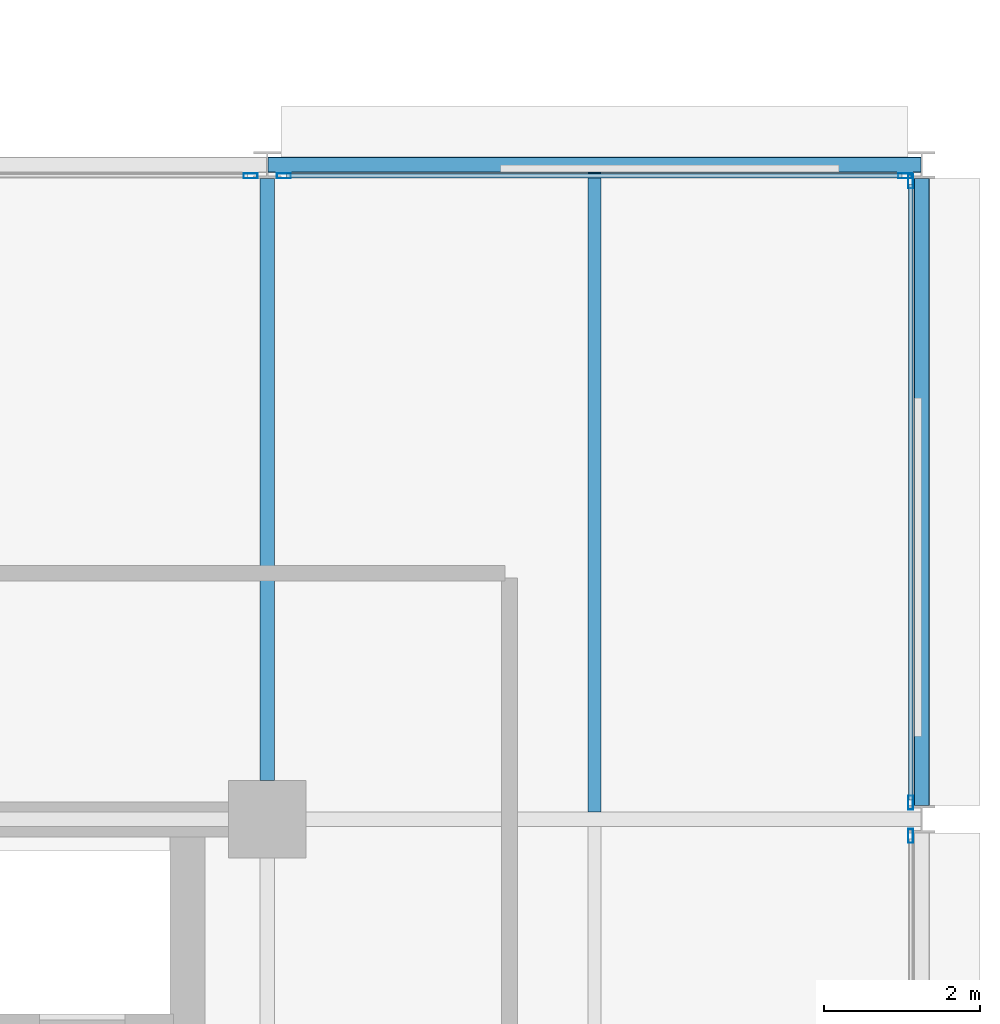
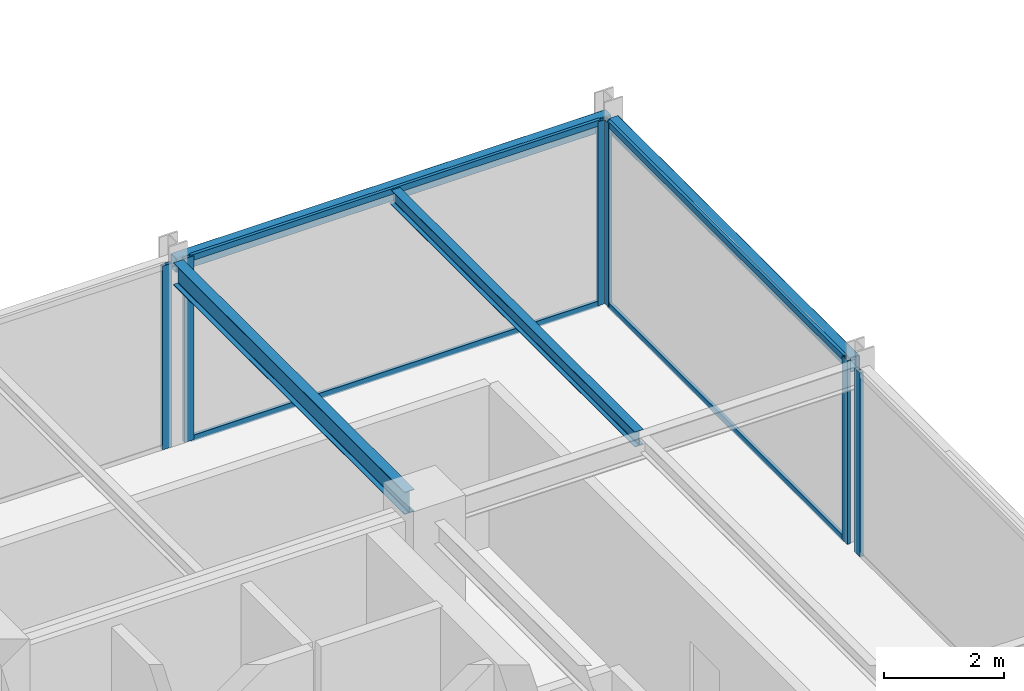
# One storey, part 15 of 26: 10 members, 4 beams, 4 elements without a shape of their own.
"""IFC4 building model written with IfcOpenShell, lengths in metres."""

from ifc_helpers import new_model, si_unit, direction, frame, origin, origin_2d, place, context, subcontext, project, spatial, hollow_rectangle, i_section, extrude, material, layer, layer_set, material_profile, profile_set, type_object, element, aggregate, save


model = new_model("IFC4")

# Units and contexts
model_context = context("Model", 3, precision=1e-05, world=origin(), true_north=direction((0.0, 1.0)))
body_context = subcontext(model_context, "Body", "Model", "MODEL_VIEW")
ifc_project = project(units=[si_unit("LENGTHUNIT", "METRE"), si_unit("AREAUNIT", "SQUARE_METRE"), si_unit("VOLUMEUNIT", "CUBIC_METRE"), si_unit("PLANEANGLEUNIT", "RADIAN"), si_unit("MASSUNIT", "GRAM", prefix="KILO")], contexts=[model_context])

# Site, building, storey
site_placement = place(None, origin())
site = spatial("IfcSite", under=ifc_project, at=site_placement, CompositionType="ELEMENT")
building_placement = place(site_placement, origin())
building = spatial("IfcBuilding", under=site, at=building_placement, Name="Nerrivon Quay Data Exchange", CompositionType="ELEMENT")
storey_placement = place(building_placement, frame((0.0, 0.0, 241.10009765625)))
storey = spatial("IfcBuildingStorey", under=building, at=storey_placement, Name="L57", CompositionType="ELEMENT", Elevation=241.10009765625)

# Beams
ifc_material_1 = material(Name="Steel Grade 350", Category="steel")
ifc_material_profile_1 = material_profile(ifc_material_1, i_section(OverallWidth=0.18994140625, OverallDepth=0.4541015625, WebThickness=0.008544921875, FlangeThickness=0.0126953125, FilletRadius=0.011474609375, at=origin_2d()), Name="460UB67.1")
ifc_profile_set_1 = profile_set([ifc_material_profile_1], Name="Steel Grade 350")
beam_type_1 = type_object("IfcBeamType", Name="BM-G6-460UB67", PredefinedType="BEAM", material=ifc_profile_set_1)
beam_1_placement = place(storey_placement, frame((33.60009765625, 17.300048828125, 3.52294921875), z_axis=(0.0, 1.0, 0.0), x_axis=(-1.0, 0.0, 0.0)))
element("IfcBeam", 1, at=beam_1_placement, inside=storey, type_object=beam_type_1, Name="L57 NS Girder X=33.6 (16.8..25.2)", PredefinedType="BEAM", context=body_context, shape_type="SweptSolid", body=[
    extrude(i_section(OverallWidth=0.18994140625, OverallDepth=0.4541015625, WebThickness=0.008544921875, FlangeThickness=0.0126953125, FilletRadius=0.011474609375, at=origin_2d()), origin(), (0.0, 0.0, 1.0), 7.724853515625),
])
ifc_material_profile_2 = material_profile(ifc_material_1, i_section(OverallWidth=0.166015625, OverallDepth=0.306884765625, WebThickness=0.006591796875, FlangeThickness=0.01171875, FilletRadius=0.011474609375, at=origin_2d()), Name="310UB46.2")
ifc_profile_set_2 = profile_set([ifc_material_profile_2], Name="Steel Grade 350")
beam_type_2 = type_object("IfcBeamType", Name="BM-J5-310UB46", PredefinedType="JOIST", material=ifc_profile_set_2)
beam_2_placement = place(storey_placement, frame((37.800048828125, 16.8955078125, 3.596435546875), z_axis=(0.0, 1.0, 0.0), x_axis=(-1.0, 0.0, 0.0)))
element("IfcBeam", 2, at=beam_2_placement, inside=storey, type_object=beam_type_2, Name="L57 Secondary Joist X=37.8 (16.8..25.2)", PredefinedType="JOIST", context=body_context, shape_type="SweptSolid", body=[
    extrude(i_section(OverallWidth=0.166015625, OverallDepth=0.306884765625, WebThickness=0.006591796875, FlangeThickness=0.01171875, FilletRadius=0.011474609375, at=origin_2d()), origin(), (0.0, 0.0, 1.0), 8.20458984375),
])
ifc_material_2 = material(Name="Steel Grade C350L0 (350 MPa)", Category="steel")
ifc_material_profile_3 = material_profile(ifc_material_2, hollow_rectangle(XDim=0.199951171875, YDim=0.300048828125, WallThickness=0.012451171875, InnerFilletRadius=0.018798828125, OuterFilletRadius=0.03125, at=origin_2d()), Name="300x200x12.5RHS")
ifc_profile_set_3 = profile_set([ifc_material_profile_3], Name="Steel Grade C350L0 (350 MPa)")
beam_type_3 = type_object("IfcBeamType", Name="BM-SP3-300x200RHS", PredefinedType="SPANDREL", material=ifc_profile_set_3)
beam_3_placement = place(storey_placement, frame((33.610107421875, 25.199951171875, 3.599853515625), z_axis=(1.0, 0.0, 0.0), x_axis=(0.0, 1.0, 0.0)))
element("IfcBeam", 3, at=beam_3_placement, inside=storey, type_object=beam_type_3, Name="L57 EW Girder Y=25.2 (33.6..42.0)", PredefinedType="SPANDREL", context=body_context, shape_type="SweptSolid", body=[
    extrude(hollow_rectangle(XDim=0.199951171875, YDim=0.300048828125, WallThickness=0.012451171875, InnerFilletRadius=0.018798828125, OuterFilletRadius=0.03125, at=origin_2d()), origin(), (0.0, 0.0, 1.0), 8.3798828125),
])
beam_4_placement = place(storey_placement, frame((42.0, 16.97509765625, 3.599853515625), z_axis=(0.0, 1.0, 0.0), x_axis=(-1.0, 0.0, 0.0)))
element("IfcBeam", 4, at=beam_4_placement, inside=storey, type_object=beam_type_3, Name="L57 NS Girder X=42.0 (16.8..25.2)", PredefinedType="SPANDREL", context=body_context, shape_type="SweptSolid", body=[
    extrude(hollow_rectangle(XDim=0.199951171875, YDim=0.300048828125, WallThickness=0.012451171875, InnerFilletRadius=0.018798828125, OuterFilletRadius=0.03125, at=origin_2d()), origin(), (0.0, 0.0, 1.0), 8.0498046875),
])

# Curtain wall, member
ifc_material_3 = material(Name="Anodised aluminium 6063-T6", Category="aluminium")
ifc_layer = layer(ifc_material_3, 0.195068359375)
ifc_layer_set = layer_set([ifc_layer], Name="Anodised aluminium 6063-T6")
curtain_wall_type = type_object("IfcCurtainWallType", Name="CW-SYS-06", PredefinedType="NOTDEFINED", material=ifc_layer_set)
curtain_wall_1_placement = place(storey_placement, origin())
curtain_wall_1 = element("IfcCurtainWall", 5, at=curtain_wall_1_placement, inside=storey, type_object=curtain_wall_type, Name="L57 Unitised Curtain Wall 24", PredefinedType="NOTDEFINED")
ifc_material_profile_4 = material_profile(ifc_material_3, hollow_rectangle(XDim=0.06494140625, YDim=0.179931640625, WallThickness=0.00341796875, at=origin_2d()), Name="ALU-MULL-180x65")
ifc_profile_set_4 = profile_set([ifc_material_profile_4], Name="Anodised aluminium 6063-T6")
member_type_1 = type_object("IfcMemberType", Name="CWM-180x65", PredefinedType="MULLION", material=ifc_profile_set_4)
member_1_placement = place(storey_placement, frame((33.387451171875, 25.06005859375, 0.0), z_axis=(0.0, 0.0, 1.0), x_axis=(0.0, 1.0, 0.0)))
member_1 = element("IfcMember", 6, at=member_1_placement, type_object=member_type_1, Name="CW06 mullion 2", PredefinedType="MULLION", context=body_context, shape_type="SweptSolid", body=[
    extrude(hollow_rectangle(XDim=0.06494140625, YDim=0.179931640625, WallThickness=0.00341796875, at=origin_2d()), origin(), (0.0, 0.0, 1.0), 3.75),
])
aggregate(curtain_wall_1, [member_1])

# Curtain wall, members
curtain_wall_2_placement = place(storey_placement, origin())
curtain_wall_2 = element("IfcCurtainWall", 7, at=curtain_wall_2_placement, inside=storey, type_object=curtain_wall_type, Name="L57 Unitised Curtain Wall 25", PredefinedType="NOTDEFINED")
member_2_placement = place(storey_placement, frame((33.8125, 25.06005859375, 0.0), z_axis=(0.0, 0.0, 1.0), x_axis=(0.0, 1.0, 0.0)))
member_2 = element("IfcMember", 8, at=member_2_placement, type_object=member_type_1, Name="CW06 mullion 1", PredefinedType="MULLION", context=body_context, shape_type="SweptSolid", body=[
    extrude(hollow_rectangle(XDim=0.06494140625, YDim=0.179931640625, WallThickness=0.00341796875, at=origin_2d()), origin(), (0.0, 0.0, 1.0), 3.75),
])
member_3_placement = place(storey_placement, frame((41.78759765625, 25.06005859375, 0.0), z_axis=(0.0, 0.0, 1.0), x_axis=(0.0, 1.0, 0.0)))
member_3 = element("IfcMember", 9, at=member_3_placement, type_object=member_type_1, Name="CW06 mullion 2", PredefinedType="MULLION", context=body_context, shape_type="SweptSolid", body=[
    extrude(hollow_rectangle(XDim=0.06494140625, YDim=0.179931640625, WallThickness=0.00341796875, at=origin_2d()), origin(), (0.0, 0.0, 1.0), 3.75),
])

curtain_wall_3_placement = place(storey_placement, origin())
curtain_wall_3 = element("IfcCurtainWall", 10, at=curtain_wall_3_placement, inside=storey, type_object=curtain_wall_type, Name="L57 Unitised Curtain Wall 26", PredefinedType="NOTDEFINED")
member_4_placement = place(storey_placement, frame((41.860107421875, 24.987548828125, 0.0), z_axis=(0.0, 0.0, 1.0), x_axis=(1.0, 0.0, 0.0)))
member_4 = element("IfcMember", 11, at=member_4_placement, type_object=member_type_1, Name="CW06 mullion 1", PredefinedType="MULLION", context=body_context, shape_type="SweptSolid", body=[
    extrude(hollow_rectangle(XDim=0.06494140625, YDim=0.179931640625, WallThickness=0.00341796875, at=origin_2d()), origin(), (0.0, 0.0, 1.0), 3.75),
])
member_5_placement = place(storey_placement, frame((41.860107421875, 17.012451171875, 0.0), z_axis=(0.0, 0.0, 1.0), x_axis=(1.0, 0.0, 0.0)))
member_5 = element("IfcMember", 12, at=member_5_placement, type_object=member_type_1, Name="CW06 mullion 2", PredefinedType="MULLION", context=body_context, shape_type="SweptSolid", body=[
    extrude(hollow_rectangle(XDim=0.06494140625, YDim=0.179931640625, WallThickness=0.00341796875, at=origin_2d()), origin(), (0.0, 0.0, 1.0), 3.75),
])

# Curtain wall, member
curtain_wall_4_placement = place(storey_placement, origin())
curtain_wall_4 = element("IfcCurtainWall", 13, at=curtain_wall_4_placement, inside=storey, type_object=curtain_wall_type, Name="L57 Unitised Curtain Wall 27", PredefinedType="NOTDEFINED")
member_6_placement = place(storey_placement, frame((41.860107421875, 16.58740234375, 0.0), z_axis=(0.0, 0.0, 1.0), x_axis=(1.0, 0.0, 0.0)))
member_6 = element("IfcMember", 14, at=member_6_placement, type_object=member_type_1, Name="CW06 mullion 1", PredefinedType="MULLION", context=body_context, shape_type="SweptSolid", body=[
    extrude(hollow_rectangle(XDim=0.06494140625, YDim=0.179931640625, WallThickness=0.00341796875, at=origin_2d()), origin(), (0.0, 0.0, 1.0), 3.75),
])
aggregate(curtain_wall_4, [member_6])

# Member
ifc_material_profile_5 = material_profile(ifc_material_3, hollow_rectangle(XDim=0.06005859375, YDim=0.1201171875, WallThickness=0.003173828125, at=origin_2d()), Name="ALU-TRAN-120x60")
ifc_profile_set_5 = profile_set([ifc_material_profile_5], Name="Anodised aluminium 6063-T6")
member_type_2 = type_object("IfcMemberType", Name="CWT-120x60", PredefinedType="USERDEFINED", material=ifc_profile_set_5)
member_7_placement = place(storey_placement, frame((33.85009765625, 25.06005859375, 0.032470703125), z_axis=(1.0, 0.0, 0.0), x_axis=(0.0, 1.0, 0.0)))
member_7 = element("IfcMember", 15, at=member_7_placement, type_object=member_type_2, Name="CW06 transom 1.1", ObjectType="TRANSOM", PredefinedType="USERDEFINED", context=body_context, shape_type="SweptSolid", body=[
    extrude(hollow_rectangle(XDim=0.06005859375, YDim=0.1201171875, WallThickness=0.003173828125, at=origin_2d()), origin(), (0.0, 0.0, 1.0), 7.89990234375),
])

member_8_placement = place(storey_placement, frame((33.85009765625, 25.06005859375, 3.71728515625), z_axis=(1.0, 0.0, 0.0), x_axis=(0.0, 1.0, 0.0)))
member_8 = element("IfcMember", 16, at=member_8_placement, type_object=member_type_2, Name="CW06 transom 1.2", ObjectType="TRANSOM", PredefinedType="USERDEFINED", context=body_context, shape_type="SweptSolid", body=[
    extrude(hollow_rectangle(XDim=0.06005859375, YDim=0.1201171875, WallThickness=0.003173828125, at=origin_2d()), origin(), (0.0, 0.0, 1.0), 7.89990234375),
])

aggregate(curtain_wall_2, [member_2, member_3, member_7, member_8])

member_9_placement = place(storey_placement, frame((41.860107421875, 24.949951171875, 0.032470703125), z_axis=(0.0, -1.0, 0.0), x_axis=(1.0, 0.0, 0.0)))
member_9 = element("IfcMember", 17, at=member_9_placement, type_object=member_type_2, Name="CW06 transom 1.1", ObjectType="TRANSOM", PredefinedType="USERDEFINED", context=body_context, shape_type="SweptSolid", body=[
    extrude(hollow_rectangle(XDim=0.06005859375, YDim=0.1201171875, WallThickness=0.003173828125, at=origin_2d()), origin(), (0.0, 0.0, 1.0), 7.89990234375),
])

member_10_placement = place(storey_placement, frame((41.860107421875, 24.949951171875, 3.71728515625), z_axis=(0.0, -1.0, 0.0), x_axis=(1.0, 0.0, 0.0)))
member_10 = element("IfcMember", 18, at=member_10_placement, type_object=member_type_2, Name="CW06 transom 1.2", ObjectType="TRANSOM", PredefinedType="USERDEFINED", context=body_context, shape_type="SweptSolid", body=[
    extrude(hollow_rectangle(XDim=0.06005859375, YDim=0.1201171875, WallThickness=0.003173828125, at=origin_2d()), origin(), (0.0, 0.0, 1.0), 7.89990234375),
])

aggregate(curtain_wall_3, [member_4, member_5, member_9, member_10])

save(model, "model.ifc")
